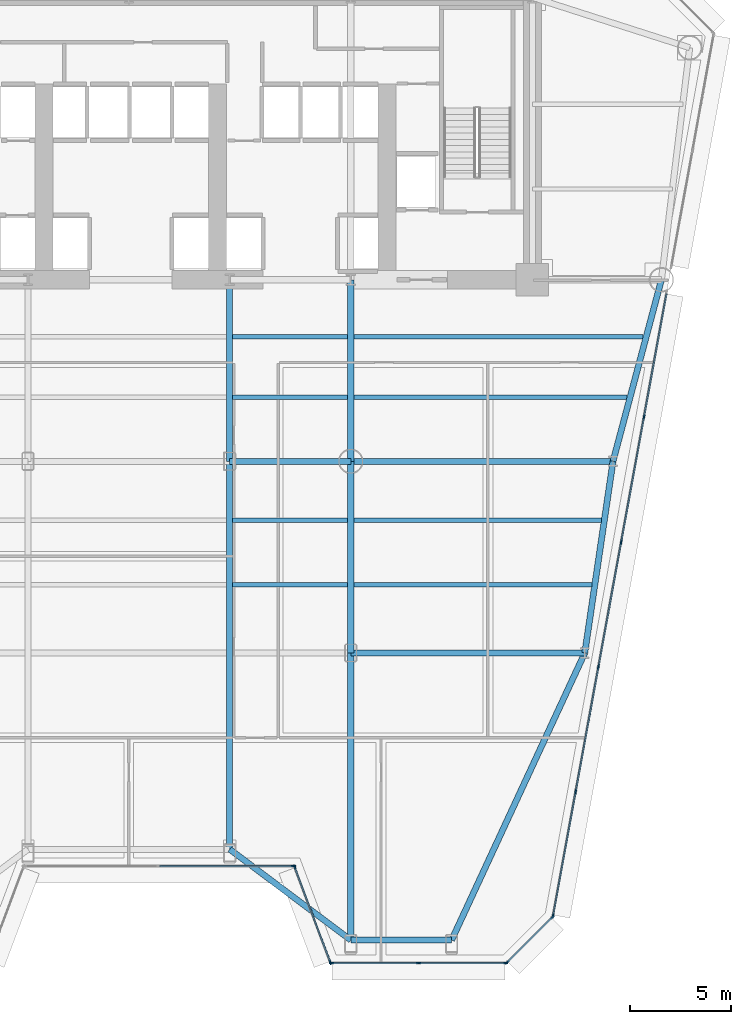
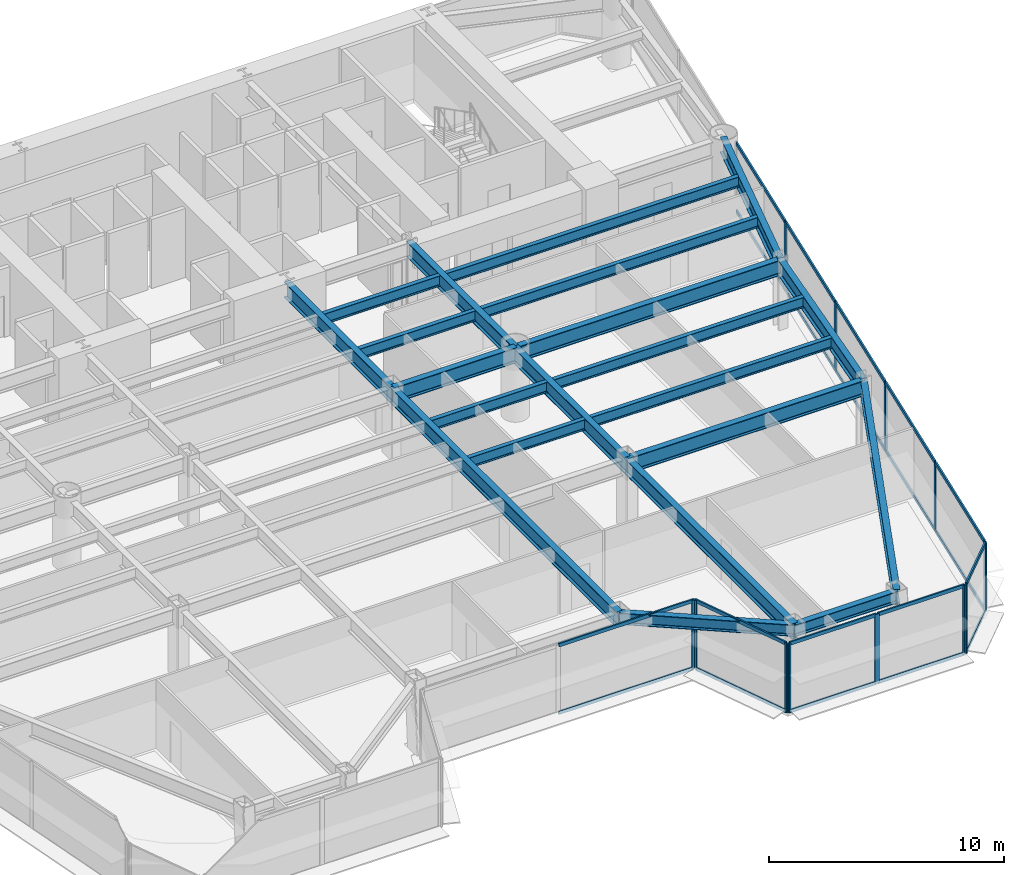
# One storey, part 4 of 14: 33 members, 21 beams, 5 elements without a shape of their own.
"""IFC4 building model written with IfcOpenShell, lengths in metres."""

from ifc_helpers import new_model, si_unit, direction, frame, origin, origin_2d, place, context, subcontext, project, spatial, rectangle, i_section, extrude, source, transform, mapped, material, layer, layer_set, material_profile, profile_set, type_object, element, aggregate, save


model = new_model("IFC4")

# Units and contexts
model_context = context("Model", 3, precision=1e-05, world=origin(), true_north=direction((0.0, 1.0)))
body_context = subcontext(model_context, "Body", "Model", "MODEL_VIEW")
ifc_project = project(units=[si_unit("LENGTHUNIT", "METRE"), si_unit("AREAUNIT", "SQUARE_METRE"), si_unit("VOLUMEUNIT", "CUBIC_METRE"), si_unit("PLANEANGLEUNIT", "RADIAN"), si_unit("MASSUNIT", "GRAM", prefix="KILO")], contexts=[model_context])

# Site, building, storey
site_placement = place(None, origin())
site = spatial("IfcSite", under=ifc_project, at=site_placement, CompositionType="ELEMENT")
building_placement = place(site_placement, origin())
building = spatial("IfcBuilding", under=site, at=building_placement, Name="Vaeldorn Concourse Tower", CompositionType="ELEMENT")
storey_placement = place(building_placement, frame((0.0, 0.0, 60.60009765625)))
storey = spatial("IfcBuildingStorey", under=building, at=storey_placement, Name="L15", CompositionType="ELEMENT", Elevation=60.60009765625)

# Beams
ifc_material_1 = material(Name="Steel S355", Category="steel")
ifc_material_profile_1 = material_profile(ifc_material_1, i_section(OverallWidth=0.300048828125, OverallDepth=0.800048828125, WebThickness=0.017578125, FlangeThickness=0.032958984375, FilletRadius=0.030029296875, at=origin_2d()), Name="HEB 800")
ifc_profile_set_1 = profile_set([ifc_material_profile_1], Name="Steel S355")
beam_type_1 = type_object("IfcBeamType", Name="BM-PG-HEB800", PredefinedType="BEAM", material=ifc_profile_set_1)
shared_shape_1 = source(origin(), body_context, "Body", "SweptSolid", [
    extrude(i_section(OverallWidth=0.300048828125, OverallDepth=0.800048828125, WebThickness=0.017578125, FlangeThickness=0.032958984375, FilletRadius=0.030029296875, at=origin_2d()), origin(), (0.0, 0.0, 1.0), 6.0),
])
beam_1_placement = place(storey_placement, frame((39.0, 27.5, 3.179931640625), z_axis=(1.0, 0.0, 0.0), x_axis=(0.0, 1.0, 0.0)))
element("IfcBeam", 1, at=beam_1_placement, inside=storey, type_object=beam_type_1, Name="Beam BM-L15-C-TW3-C-TW4", PredefinedType="BEAM", context=body_context, shape_type="MappedRepresentation", body=[
    mapped(shared_shape_1, transform((0.0, 0.0, 0.0), scale=1.0)),
])
shared_shape_2 = source(origin(), body_context, "Body", "SweptSolid", [
    extrude(i_section(OverallWidth=0.300048828125, OverallDepth=0.800048828125, WebThickness=0.017578125, FlangeThickness=0.032958984375, FilletRadius=0.030029296875, at=origin_2d()), origin(), (0.0, 0.0, 1.0), 9.0),
])
for number, where, z_axis, x_axis, name in (
    (2, (39.0, 27.5, 3.179931640625), (0.0, 1.0, 0.0), (-1.0, 0.0, 0.0), "Beam BM-L15-C-TW3-C-FC4"),
    (3, (45.0, 27.5, 3.179931640625), (0.0, 1.0, 0.0), (-1.0, 0.0, 0.0), "Beam BM-L15-C-TW4-C-FC5"),
):
    element("IfcBeam", number, at=place(storey_placement, frame(where, z_axis=z_axis, x_axis=x_axis)), inside=storey, type_object=beam_type_1, Name=name, PredefinedType="BEAM", context=body_context, shape_type="MappedRepresentation", body=[
        mapped(shared_shape_2, transform((0.0, 0.0, 0.0), scale=1.0)),
    ])
shared_shape_3 = source(origin(), body_context, "Body", "SweptSolid", [
    extrude(i_section(OverallWidth=0.300048828125, OverallDepth=0.800048828125, WebThickness=0.017578125, FlangeThickness=0.032958984375, FilletRadius=0.030029296875, at=origin_2d()), origin(), (0.0, 0.0, 1.0), 9.314453125),
])
beam_2_placement = place(storey_placement, frame((60.39990234375, 36.5, 3.179931640625), z_axis=(-0.257652862255, -0.966237549763, 0.0), x_axis=(0.966237549763, -0.257652862255, 0.0)))
element("IfcBeam", 4, at=beam_2_placement, inside=storey, type_object=beam_type_1, Name="Beam BM-L15-C-NE2-C-FLE1", PredefinedType="BEAM", context=body_context, shape_type="MappedRepresentation", body=[
    mapped(shared_shape_3, transform((0.0, 0.0, 0.0), scale=1.0)),
])
shared_shape_4 = source(origin(), body_context, "Body", "SweptSolid", [
    extrude(i_section(OverallWidth=0.300048828125, OverallDepth=0.800048828125, WebThickness=0.017578125, FlangeThickness=0.032958984375, FilletRadius=0.030029296875, at=origin_2d()), origin(), (0.0, 0.0, 1.0), 13.0),
])
beam_3_placement = place(storey_placement, frame((45.0, 27.5, 3.179931640625), z_axis=(1.0, 0.0, 0.0), x_axis=(0.0, 1.0, 0.0)))
element("IfcBeam", 5, at=beam_3_placement, inside=storey, type_object=beam_type_1, Name="Beam BM-L15-C-TW4-C-FLE1", PredefinedType="BEAM", context=body_context, shape_type="MappedRepresentation", body=[
    mapped(shared_shape_4, transform((0.0, 0.0, 0.0), scale=1.0)),
])
ifc_material_profile_2 = material_profile(ifc_material_1, i_section(OverallWidth=0.300048828125, OverallDepth=0.60009765625, WebThickness=0.015380859375, FlangeThickness=0.030029296875, FilletRadius=0.027099609375, at=origin_2d()), Name="HEB 600")
ifc_profile_set_2 = profile_set([ifc_material_profile_2], Name="Steel S355")
beam_type_2 = type_object("IfcBeamType", Name="BM-SP-HEB600", PredefinedType="SPANDREL", material=ifc_profile_set_2)
shared_shape_5 = source(origin(), body_context, "Body", "SweptSolid", [
    extrude(i_section(OverallWidth=0.300048828125, OverallDepth=0.60009765625, WebThickness=0.015380859375, FlangeThickness=0.030029296875, FilletRadius=0.027099609375, at=origin_2d()), origin(), (0.0, 0.0, 1.0), 5.0),
])
beam_4_placement = place(storey_placement, frame((45.0, 3.768798828125, 3.27978515625), z_axis=(1.0, 0.0, 0.0), x_axis=(0.0, 1.0, 0.0)))
element("IfcBeam", 6, at=beam_4_placement, inside=storey, type_object=beam_type_2, Name="Beam BM-L15-C-SF5-C-SF6", PredefinedType="SPANDREL", context=body_context, shape_type="MappedRepresentation", body=[
    mapped(shared_shape_5, transform((0.0, 0.0, 0.0), scale=1.0)),
])
shared_shape_6 = source(origin(), body_context, "Body", "SweptSolid", [
    extrude(i_section(OverallWidth=0.300048828125, OverallDepth=0.60009765625, WebThickness=0.015380859375, FlangeThickness=0.030029296875, FilletRadius=0.027099609375, at=origin_2d()), origin(), (0.0, 0.0, 1.0), 7.5),
])
beam_5_placement = place(storey_placement, frame((39.0, 8.268798828125, 3.27978515625), z_axis=(0.8, -0.6, 0.0), x_axis=(0.6, 0.8, 0.0)))
element("IfcBeam", 7, at=beam_5_placement, inside=storey, type_object=beam_type_2, Name="Beam BM-L15-C-SF4-C-SF5", PredefinedType="SPANDREL", context=body_context, shape_type="MappedRepresentation", body=[
    mapped(shared_shape_6, transform((0.0, 0.0, 0.0), scale=1.0)),
])
shared_shape_7 = source(origin(), body_context, "Body", "SweptSolid", [
    extrude(i_section(OverallWidth=0.300048828125, OverallDepth=0.800048828125, WebThickness=0.017578125, FlangeThickness=0.032958984375, FilletRadius=0.030029296875, at=origin_2d()), origin(), (0.0, 0.0, 1.0), 9.6025390625),
])
beam_6_placement = place(storey_placement, frame((58.0, 27.5, 3.179931640625), z_axis=(-0.145783835977, -0.989316467652, 0.0), x_axis=(0.989316467652, -0.145783835977, 0.0)))
element("IfcBeam", 8, at=beam_6_placement, inside=storey, type_object=beam_type_1, Name="Beam BM-L15-C-FLE1-C-FLE2", PredefinedType="BEAM", context=body_context, shape_type="MappedRepresentation", body=[
    mapped(shared_shape_7, transform((0.0, 0.0, 0.0), scale=1.0)),
])
shared_shape_8 = source(origin(), body_context, "Body", "SweptSolid", [
    extrude(i_section(OverallWidth=0.300048828125, OverallDepth=0.800048828125, WebThickness=0.017578125, FlangeThickness=0.032958984375, FilletRadius=0.030029296875, at=origin_2d()), origin(), (0.0, 0.0, 1.0), 11.60009765625),
])
beam_7_placement = place(storey_placement, frame((45.0, 18.0, 3.179931640625), z_axis=(1.0, 0.0, 0.0), x_axis=(0.0, 1.0, 0.0)))
element("IfcBeam", 9, at=beam_7_placement, inside=storey, type_object=beam_type_1, Name="Beam BM-L15-C-TW6-C-FLE2", PredefinedType="BEAM", context=body_context, shape_type="MappedRepresentation", body=[
    mapped(shared_shape_8, transform((0.0, 0.0, 0.0), scale=1.0)),
])
shared_shape_9 = source(origin(), body_context, "Body", "SweptSolid", [
    extrude(i_section(OverallWidth=0.300048828125, OverallDepth=0.800048828125, WebThickness=0.017578125, FlangeThickness=0.032958984375, FilletRadius=0.030029296875, at=origin_2d()), origin(), (0.0, 0.0, 1.0), 9.5),
])
beam_8_placement = place(storey_placement, frame((45.0, 18.0, 3.179931640625), z_axis=(0.0, 1.0, 0.0), x_axis=(-1.0, 0.0, 0.0)))
element("IfcBeam", 10, at=beam_8_placement, inside=storey, type_object=beam_type_1, Name="Beam BM-L15-C-TW6-C-TW4", PredefinedType="BEAM", context=body_context, shape_type="MappedRepresentation", body=[
    mapped(shared_shape_9, transform((0.0, 0.0, 0.0), scale=1.0)),
])
ifc_material_profile_3 = material_profile(ifc_material_1, i_section(OverallWidth=0.2099609375, OverallDepth=0.550048828125, WebThickness=0.010986328125, FlangeThickness=0.01708984375, FilletRadius=0.02392578125, at=origin_2d()), Name="IPE 550")
ifc_profile_set_3 = profile_set([ifc_material_profile_3], Name="Steel S355")
beam_type_3 = type_object("IfcBeamType", Name="BM-JS-IPE550", PredefinedType="JOIST", material=ifc_profile_set_3)
shared_shape_10 = source(origin(), body_context, "Body", "SweptSolid", [
    extrude(i_section(OverallWidth=0.2099609375, OverallDepth=0.550048828125, WebThickness=0.010986328125, FlangeThickness=0.01708984375, FilletRadius=0.02392578125, at=origin_2d()), origin(), (0.0, 0.0, 1.0), 5.7001953125),
])
for number, where, z_axis, x_axis, name in (
    (11, (39.14990234375, 21.3798828125, 3.304931640625), (1.0, 0.0, 0.0), (0.0, 1.0, 0.0), "Beam JS-L15-E2-213"),
    (12, (39.14990234375, 24.580078125, 3.304931640625), (1.0, 0.0, 0.0), (0.0, 1.0, 0.0), "Beam JS-L15-E2-245"),
    (13, (39.14990234375, 30.679931640625, 3.304931640625), (1.0, 0.0, 0.0), (0.0, 1.0, 0.0), "Beam JS-L15-E2-306"),
    (14, (39.14990234375, 33.679931640625, 3.304931640625), (1.0, 0.0, 0.0), (0.0, 1.0, 0.0), "Beam JS-L15-E2-336"),
):
    element("IfcBeam", number, at=place(storey_placement, frame(where, z_axis=z_axis, x_axis=x_axis)), inside=storey, type_object=beam_type_3, Name=name, PredefinedType="JOIST", context=body_context, shape_type="MappedRepresentation", body=[
        mapped(shared_shape_10, transform((0.0, 0.0, 0.0), scale=1.0)),
    ])
shared_shape_11 = source(origin(), body_context, "Body", "SweptSolid", [
    extrude(i_section(OverallWidth=0.2099609375, OverallDepth=0.550048828125, WebThickness=0.010986328125, FlangeThickness=0.01708984375, FilletRadius=0.02392578125, at=origin_2d()), origin(), (0.0, 0.0, 1.0), 11.798095703125),
])
beam_9_placement = place(storey_placement, frame((45.14990234375, 21.3798828125, 3.304931640625), z_axis=(1.0, 0.0, 0.0), x_axis=(0.0, 1.0, 0.0)))
element("IfcBeam", 15, at=beam_9_placement, inside=storey, type_object=beam_type_3, Name="Beam JS-L15-E1-213", PredefinedType="JOIST", context=body_context, shape_type="MappedRepresentation", body=[
    mapped(shared_shape_11, transform((0.0, 0.0, 0.0), scale=1.0)),
])
shared_shape_12 = source(origin(), body_context, "Body", "SweptSolid", [
    extrude(i_section(OverallWidth=0.2099609375, OverallDepth=0.550048828125, WebThickness=0.010986328125, FlangeThickness=0.01708984375, FilletRadius=0.02392578125, at=origin_2d()), origin(), (0.0, 0.0, 1.0), 12.269775390625),
])
beam_10_placement = place(storey_placement, frame((45.14990234375, 24.580078125, 3.304931640625), z_axis=(1.0, 0.0, 0.0), x_axis=(0.0, 1.0, 0.0)))
element("IfcBeam", 16, at=beam_10_placement, inside=storey, type_object=beam_type_3, Name="Beam JS-L15-E1-245", PredefinedType="JOIST", context=body_context, shape_type="MappedRepresentation", body=[
    mapped(shared_shape_12, transform((0.0, 0.0, 0.0), scale=1.0)),
])
shared_shape_13 = source(origin(), body_context, "Body", "SweptSolid", [
    extrude(i_section(OverallWidth=0.2099609375, OverallDepth=0.550048828125, WebThickness=0.010986328125, FlangeThickness=0.01708984375, FilletRadius=0.02392578125, at=origin_2d()), origin(), (0.0, 0.0, 1.0), 13.548095703125),
])
beam_11_placement = place(storey_placement, frame((45.14990234375, 30.679931640625, 3.304931640625), z_axis=(1.0, 0.0, 0.0), x_axis=(0.0, 1.0, 0.0)))
element("IfcBeam", 17, at=beam_11_placement, inside=storey, type_object=beam_type_3, Name="Beam JS-L15-E1-306", PredefinedType="JOIST", context=body_context, shape_type="MappedRepresentation", body=[
    mapped(shared_shape_13, transform((0.0, 0.0, 0.0), scale=1.0)),
])
shared_shape_14 = source(origin(), body_context, "Body", "SweptSolid", [
    extrude(i_section(OverallWidth=0.2099609375, OverallDepth=0.550048828125, WebThickness=0.010986328125, FlangeThickness=0.01708984375, FilletRadius=0.02392578125, at=origin_2d()), origin(), (0.0, 0.0, 1.0), 14.34814453125),
])
beam_12_placement = place(storey_placement, frame((45.14990234375, 33.679931640625, 3.304931640625), z_axis=(1.0, 0.0, 0.0), x_axis=(0.0, 1.0, 0.0)))
element("IfcBeam", 18, at=beam_12_placement, inside=storey, type_object=beam_type_3, Name="Beam JS-L15-E1-336", PredefinedType="JOIST", context=body_context, shape_type="MappedRepresentation", body=[
    mapped(shared_shape_14, transform((0.0, 0.0, 0.0), scale=1.0)),
])
shared_shape_15 = source(origin(), body_context, "Body", "SweptSolid", [
    extrude(i_section(OverallWidth=0.300048828125, OverallDepth=0.800048828125, WebThickness=0.017578125, FlangeThickness=0.032958984375, FilletRadius=0.030029296875, at=origin_2d()), origin(), (0.0, 0.0, 1.0), 15.687255859375),
])
beam_13_placement = place(storey_placement, frame((50.0, 3.768798828125, 3.179931640625), z_axis=(0.420731289572, 0.907185307407, 0.0), x_axis=(-0.907185307407, 0.420731289572, 0.0)))
element("IfcBeam", 19, at=beam_13_placement, inside=storey, type_object=beam_type_1, Name="Beam BM-L15-C-SF6-C-FLE2", PredefinedType="BEAM", context=body_context, shape_type="MappedRepresentation", body=[
    mapped(shared_shape_15, transform((0.0, 0.0, 0.0), scale=1.0)),
])
shared_shape_16 = source(origin(), body_context, "Body", "SweptSolid", [
    extrude(i_section(OverallWidth=0.300048828125, OverallDepth=0.800048828125, WebThickness=0.017578125, FlangeThickness=0.032958984375, FilletRadius=0.030029296875, at=origin_2d()), origin(), (0.0, 0.0, 1.0), 14.231201171875),
])
beam_14_placement = place(storey_placement, frame((45.0, 3.768798828125, 3.179931640625), z_axis=(0.0, 1.0, 0.0), x_axis=(-1.0, 0.0, 0.0)))
element("IfcBeam", 20, at=beam_14_placement, inside=storey, type_object=beam_type_1, Name="Beam BM-L15-C-SF5-C-TW6", PredefinedType="BEAM", context=body_context, shape_type="MappedRepresentation", body=[
    mapped(shared_shape_16, transform((0.0, 0.0, 0.0), scale=1.0)),
])
shared_shape_17 = source(origin(), body_context, "Body", "SweptSolid", [
    extrude(i_section(OverallWidth=0.300048828125, OverallDepth=0.800048828125, WebThickness=0.017578125, FlangeThickness=0.032958984375, FilletRadius=0.030029296875, at=origin_2d()), origin(), (0.0, 0.0, 1.0), 19.231201171875),
])
beam_15_placement = place(storey_placement, frame((39.0, 8.268798828125, 3.179931640625), z_axis=(0.0, 1.0, 0.0), x_axis=(-1.0, 0.0, 0.0)))
element("IfcBeam", 21, at=beam_15_placement, inside=storey, type_object=beam_type_1, Name="Beam BM-L15-C-SF4-C-TW3", PredefinedType="BEAM", context=body_context, shape_type="MappedRepresentation", body=[
    mapped(shared_shape_17, transform((0.0, 0.0, 0.0), scale=1.0)),
])

# Curtain wall, member
ifc_material_2 = material(Name="Anodised Bronze Aluminium", Category="aluminium")
ifc_layer = layer(ifc_material_2, 0.219970703125)
ifc_layer_set = layer_set([ifc_layer], Name="Anodised Bronze Aluminium")
curtain_wall_type = type_object("IfcCurtainWallType", Name="CW-SYS-01", PredefinedType="NOTDEFINED", material=ifc_layer_set)
curtain_wall_1_placement = place(storey_placement, origin())
curtain_wall_1 = element("IfcCurtainWall", 22, at=curtain_wall_1_placement, inside=storey, type_object=curtain_wall_type, Name="Unitised Curtain Wall CW-L15-E03-1", PredefinedType="NOTDEFINED")
ifc_material_profile_4 = material_profile(ifc_material_2, rectangle(XDim=0.074951171875, YDim=0.219970703125, at=origin_2d()), Name="CWM 75x220")
ifc_profile_set_4 = profile_set([ifc_material_profile_4], Name="Anodised Bronze Aluminium")
member_type_1 = type_object("IfcMemberType", Name="CWM-BRONZE-220", PredefinedType="MULLION", material=ifc_profile_set_4)
shared_shape_18 = source(origin(), body_context, "Body", "SweptSolid", [
    extrude(rectangle(XDim=0.074951171875, YDim=0.219970703125, at=origin_2d()), origin(), (0.0, 0.0, 1.0), 3.579833984375),
])
member_1_placement = place(storey_placement, frame((42.16259765625, 7.4296875, 0.0), z_axis=(0.0, 0.0, 1.0), x_axis=(0.0, 1.0, 0.0)))
member_1 = element("IfcMember", 23, at=member_1_placement, type_object=member_type_1, Name="CW-01 mullion 3", PredefinedType="MULLION", context=body_context, shape_type="MappedRepresentation", body=[
    mapped(shared_shape_18, transform((0.0, 0.0, 0.0), scale=1.0)),
])

# Curtain wall, members
curtain_wall_2_placement = place(storey_placement, origin())
curtain_wall_2 = element("IfcCurtainWall", 24, at=curtain_wall_2_placement, inside=storey, type_object=curtain_wall_type, Name="Unitised Curtain Wall CW-L15-E04-1", PredefinedType="NOTDEFINED")
member_2_placement = place(storey_placement, frame((42.213134765625, 7.394775390625, 0.0), z_axis=(0.0, 0.0, 1.0), x_axis=(0.936329177566, 0.351123441595, 0.0)))
member_2 = element("IfcMember", 25, at=member_2_placement, type_object=member_type_1, Name="CW-01 mullion 1", PredefinedType="MULLION", context=body_context, shape_type="MappedRepresentation", body=[
    mapped(shared_shape_18, transform((0.0, 0.0, 0.0), scale=1.0)),
])
member_3_placement = place(storey_placement, frame((43.98681640625, 2.664794921875, 0.0), z_axis=(0.0, 0.0, 1.0), x_axis=(0.936329177566, 0.351123441595, 0.0)))
member_3 = element("IfcMember", 26, at=member_3_placement, type_object=member_type_1, Name="CW-01 mullion 2", PredefinedType="MULLION", context=body_context, shape_type="MappedRepresentation", body=[
    mapped(shared_shape_18, transform((0.0, 0.0, 0.0), scale=1.0)),
])

curtain_wall_3_placement = place(storey_placement, origin())
curtain_wall_3 = element("IfcCurtainWall", 27, at=curtain_wall_3_placement, inside=storey, type_object=curtain_wall_type, Name="Unitised Curtain Wall CW-L15-E05-1", PredefinedType="NOTDEFINED")
member_4_placement = place(storey_placement, frame((44.03759765625, 2.6298828125, 0.0), z_axis=(0.0, 0.0, 1.0), x_axis=(0.0, 1.0, 0.0)))
member_4 = element("IfcMember", 28, at=member_4_placement, type_object=member_type_1, Name="CW-01 mullion 1", PredefinedType="MULLION", context=body_context, shape_type="MappedRepresentation", body=[
    mapped(shared_shape_18, transform((0.0, 0.0, 0.0), scale=1.0)),
])
member_5_placement = place(storey_placement, frame((48.359375, 2.6298828125, 0.0), z_axis=(0.0, 0.0, 1.0), x_axis=(0.0, 1.0, 0.0)))
member_5 = element("IfcMember", 29, at=member_5_placement, type_object=member_type_1, Name="CW-01 mullion 2", PredefinedType="MULLION", context=body_context, shape_type="MappedRepresentation", body=[
    mapped(shared_shape_18, transform((0.0, 0.0, 0.0), scale=1.0)),
])
member_6_placement = place(storey_placement, frame((52.681396484375, 2.6298828125, 0.0), z_axis=(0.0, 0.0, 1.0), x_axis=(0.0, 1.0, 0.0)))
member_6 = element("IfcMember", 30, at=member_6_placement, type_object=member_type_1, Name="CW-01 mullion 3", PredefinedType="MULLION", context=body_context, shape_type="MappedRepresentation", body=[
    mapped(shared_shape_18, transform((0.0, 0.0, 0.0), scale=1.0)),
])

curtain_wall_4_placement = place(storey_placement, origin())
curtain_wall_4 = element("IfcCurtainWall", 31, at=curtain_wall_4_placement, inside=storey, type_object=curtain_wall_type, Name="Unitised Curtain Wall CW-L15-E06-1", PredefinedType="NOTDEFINED")
member_7_placement = place(storey_placement, frame((52.745361328125, 2.65625, 0.0), z_axis=(0.0, 0.0, 1.0), x_axis=(-0.707106781187, 0.707106781187, 0.0)))
member_7 = element("IfcMember", 32, at=member_7_placement, type_object=member_type_1, Name="CW-01 mullion 1", PredefinedType="MULLION", context=body_context, shape_type="MappedRepresentation", body=[
    mapped(shared_shape_18, transform((0.0, 0.0, 0.0), scale=1.0)),
])
member_8_placement = place(storey_placement, frame((54.992431640625, 4.9033203125, 0.0), z_axis=(0.0, 0.0, 1.0), x_axis=(-0.707106781187, 0.707106781187, 0.0)))
member_8 = element("IfcMember", 33, at=member_8_placement, type_object=member_type_1, Name="CW-01 mullion 2", PredefinedType="MULLION", context=body_context, shape_type="MappedRepresentation", body=[
    mapped(shared_shape_18, transform((0.0, 0.0, 0.0), scale=1.0)),
])

curtain_wall_5_placement = place(storey_placement, origin())
curtain_wall_5 = element("IfcCurtainWall", 34, at=curtain_wall_5_placement, inside=storey, type_object=curtain_wall_type, Name="Unitised Curtain Wall CW-L15-E07-1", PredefinedType="NOTDEFINED")
member_9_placement = place(storey_placement, frame((55.025634765625, 4.966796875, 0.0), z_axis=(0.0, 0.0, 1.0), x_axis=(-0.98377915742, 0.179383860553, 0.0)))
member_9 = element("IfcMember", 35, at=member_9_placement, type_object=member_type_1, Name="CW-01 mullion 1", PredefinedType="MULLION", context=body_context, shape_type="MappedRepresentation", body=[
    mapped(shared_shape_18, transform((0.0, 0.0, 0.0), scale=1.0)),
])
member_10_placement = place(storey_placement, frame((56.147705078125, 11.119873046875, 0.0), z_axis=(0.0, 0.0, 1.0), x_axis=(-0.98377915742, 0.179383860553, 0.0)))
member_10 = element("IfcMember", 36, at=member_10_placement, type_object=member_type_1, Name="CW-01 mullion 2", PredefinedType="MULLION", context=body_context, shape_type="MappedRepresentation", body=[
    mapped(shared_shape_18, transform((0.0, 0.0, 0.0), scale=1.0)),
])
member_11_placement = place(storey_placement, frame((57.2763671875, 17.31005859375, 0.0), z_axis=(0.0, 0.0, 1.0), x_axis=(-0.98377915742, 0.179383860553, 0.0)))
member_11 = element("IfcMember", 37, at=member_11_placement, type_object=member_type_1, Name="CW-01 mullion 3", PredefinedType="MULLION", context=body_context, shape_type="MappedRepresentation", body=[
    mapped(shared_shape_18, transform((0.0, 0.0, 0.0), scale=1.0)),
])
member_12_placement = place(storey_placement, frame((58.405029296875, 23.500244140625, 0.0), z_axis=(0.0, 0.0, 1.0), x_axis=(-0.98377915742, 0.179383860553, 0.0)))
member_12 = element("IfcMember", 38, at=member_12_placement, type_object=member_type_1, Name="CW-01 mullion 4", PredefinedType="MULLION", context=body_context, shape_type="MappedRepresentation", body=[
    mapped(shared_shape_18, transform((0.0, 0.0, 0.0), scale=1.0)),
])
member_13_placement = place(storey_placement, frame((59.53369140625, 29.6904296875, 0.0), z_axis=(0.0, 0.0, 1.0), x_axis=(-0.98377915742, 0.179383860553, 0.0)))
member_13 = element("IfcMember", 39, at=member_13_placement, type_object=member_type_1, Name="CW-01 mullion 5", PredefinedType="MULLION", context=body_context, shape_type="MappedRepresentation", body=[
    mapped(shared_shape_18, transform((0.0, 0.0, 0.0), scale=1.0)),
])

# Member
ifc_material_profile_5 = material_profile(ifc_material_2, rectangle(XDim=0.074951171875, YDim=0.179931640625, at=origin_2d()), Name="CWT 75x180")
ifc_profile_set_5 = profile_set([ifc_material_profile_5], Name="Anodised Bronze Aluminium")
member_type_2 = type_object("IfcMemberType", Name="CWT-BRONZE-180", PredefinedType="USERDEFINED", material=ifc_profile_set_5)
shared_shape_19 = source(origin(), body_context, "Body", "SweptSolid", [
    extrude(rectangle(XDim=0.074951171875, YDim=0.179931640625, at=origin_2d()), origin(), (0.0, 0.0, 1.0), 6.58740234375),
])
member_14_placement = place(storey_placement, frame((35.53759765625, 7.4296875, 0.037353515625), z_axis=(1.0, 0.0, 0.0), x_axis=(0.0, 1.0, 0.0)))
member_14 = element("IfcMember", 40, at=member_14_placement, type_object=member_type_2, Name="CW-01 transom 2.1", ObjectType="TRANSOM", PredefinedType="USERDEFINED", context=body_context, shape_type="MappedRepresentation", body=[
    mapped(shared_shape_19, transform((0.0, 0.0, 0.0), scale=1.0)),
])

member_15_placement = place(storey_placement, frame((35.53759765625, 7.4296875, 3.54248046875), z_axis=(1.0, 0.0, 0.0), x_axis=(0.0, 1.0, 0.0)))
member_15 = element("IfcMember", 41, at=member_15_placement, type_object=member_type_2, Name="CW-01 transom 2.2", ObjectType="TRANSOM", PredefinedType="USERDEFINED", context=body_context, shape_type="MappedRepresentation", body=[
    mapped(shared_shape_19, transform((0.0, 0.0, 0.0), scale=1.0)),
])

aggregate(curtain_wall_1, [member_1, member_14, member_15])

shared_shape_20 = source(origin(), body_context, "Body", "SweptSolid", [
    extrude(rectangle(XDim=0.074951171875, YDim=0.179931640625, at=origin_2d()), origin(), (0.0, 0.0, 1.0), 4.9765625),
])
member_16_placement = place(storey_placement, frame((42.226318359375, 7.359619140625, 0.037353515625), z_axis=(0.351112688987, -0.936333209724, 0.0), x_axis=(0.936333209724, 0.351112688987, 0.0)))
member_16 = element("IfcMember", 42, at=member_16_placement, type_object=member_type_2, Name="CW-01 transom 1.1", ObjectType="TRANSOM", PredefinedType="USERDEFINED", context=body_context, shape_type="MappedRepresentation", body=[
    mapped(shared_shape_20, transform((0.0, 0.0, 0.0), scale=1.0)),
])

member_17_placement = place(storey_placement, frame((42.226318359375, 7.359619140625, 3.54248046875), z_axis=(0.351112688987, -0.936333209724, 0.0), x_axis=(0.936333209724, 0.351112688987, 0.0)))
member_17 = element("IfcMember", 43, at=member_17_placement, type_object=member_type_2, Name="CW-01 transom 1.2", ObjectType="TRANSOM", PredefinedType="USERDEFINED", context=body_context, shape_type="MappedRepresentation", body=[
    mapped(shared_shape_20, transform((0.0, 0.0, 0.0), scale=1.0)),
])

aggregate(curtain_wall_2, [member_2, member_3, member_16, member_17])

shared_shape_21 = source(origin(), body_context, "Body", "SweptSolid", [
    extrude(rectangle(XDim=0.074951171875, YDim=0.179931640625, at=origin_2d()), origin(), (0.0, 0.0, 1.0), 3.1025390625),
])
member_18_placement = place(storey_placement, frame((52.77197265625, 2.682861328125, 0.037353515625), z_axis=(0.707106781187, 0.707106781187, 0.0), x_axis=(-0.707106781187, 0.707106781187, 0.0)))
member_18 = element("IfcMember", 44, at=member_18_placement, type_object=member_type_2, Name="CW-01 transom 1.1", ObjectType="TRANSOM", PredefinedType="USERDEFINED", context=body_context, shape_type="MappedRepresentation", body=[
    mapped(shared_shape_21, transform((0.0, 0.0, 0.0), scale=1.0)),
])

member_19_placement = place(storey_placement, frame((52.77197265625, 2.682861328125, 3.54248046875), z_axis=(0.707106781187, 0.707106781187, 0.0), x_axis=(-0.707106781187, 0.707106781187, 0.0)))
member_19 = element("IfcMember", 45, at=member_19_placement, type_object=member_type_2, Name="CW-01 transom 1.2", ObjectType="TRANSOM", PredefinedType="USERDEFINED", context=body_context, shape_type="MappedRepresentation", body=[
    mapped(shared_shape_21, transform((0.0, 0.0, 0.0), scale=1.0)),
])

aggregate(curtain_wall_4, [member_7, member_8, member_18, member_19])

shared_shape_22 = source(origin(), body_context, "Body", "SweptSolid", [
    extrude(rectangle(XDim=0.074951171875, YDim=0.179931640625, at=origin_2d()), origin(), (0.0, 0.0, 1.0), 4.2470703125),
])
member_20_placement = place(storey_placement, frame((44.074951171875, 2.6298828125, 0.037353515625), z_axis=(1.0, 0.0, 0.0), x_axis=(0.0, 1.0, 0.0)))
member_20 = element("IfcMember", 46, at=member_20_placement, type_object=member_type_2, Name="CW-01 transom 1.1", ObjectType="TRANSOM", PredefinedType="USERDEFINED", context=body_context, shape_type="MappedRepresentation", body=[
    mapped(shared_shape_22, transform((0.0, 0.0, 0.0), scale=1.0)),
])

member_21_placement = place(storey_placement, frame((44.074951171875, 2.6298828125, 3.54248046875), z_axis=(1.0, 0.0, 0.0), x_axis=(0.0, 1.0, 0.0)))
member_21 = element("IfcMember", 47, at=member_21_placement, type_object=member_type_2, Name="CW-01 transom 1.2", ObjectType="TRANSOM", PredefinedType="USERDEFINED", context=body_context, shape_type="MappedRepresentation", body=[
    mapped(shared_shape_22, transform((0.0, 0.0, 0.0), scale=1.0)),
])

shared_shape_23 = source(origin(), body_context, "Body", "SweptSolid", [
    extrude(rectangle(XDim=0.074951171875, YDim=0.179931640625, at=origin_2d()), origin(), (0.0, 0.0, 1.0), 4.246826171875),
])
member_22_placement = place(storey_placement, frame((48.39697265625, 2.6298828125, 0.037353515625), z_axis=(1.0, 0.0, 0.0), x_axis=(0.0, 1.0, 0.0)))
member_22 = element("IfcMember", 48, at=member_22_placement, type_object=member_type_2, Name="CW-01 transom 2.1", ObjectType="TRANSOM", PredefinedType="USERDEFINED", context=body_context, shape_type="MappedRepresentation", body=[
    mapped(shared_shape_23, transform((0.0, 0.0, 0.0), scale=1.0)),
])

member_23_placement = place(storey_placement, frame((48.39697265625, 2.6298828125, 3.54248046875), z_axis=(1.0, 0.0, 0.0), x_axis=(0.0, 1.0, 0.0)))
member_23 = element("IfcMember", 49, at=member_23_placement, type_object=member_type_2, Name="CW-01 transom 2.2", ObjectType="TRANSOM", PredefinedType="USERDEFINED", context=body_context, shape_type="MappedRepresentation", body=[
    mapped(shared_shape_23, transform((0.0, 0.0, 0.0), scale=1.0)),
])

aggregate(curtain_wall_3, [member_4, member_5, member_6, member_20, member_21, member_22, member_23])

shared_shape_24 = source(origin(), body_context, "Body", "SweptSolid", [
    extrude(rectangle(XDim=0.074951171875, YDim=0.179931640625, at=origin_2d()), origin(), (0.0, 0.0, 1.0), 6.179443359375),
])
member_24_placement = place(storey_placement, frame((55.032470703125, 5.003662109375, 0.037353515625), z_axis=(0.179365199084, 0.983782559999, 0.0), x_axis=(-0.983782559999, 0.179365199084, 0.0)))
member_24 = element("IfcMember", 50, at=member_24_placement, type_object=member_type_2, Name="CW-01 transom 1.1", ObjectType="TRANSOM", PredefinedType="USERDEFINED", context=body_context, shape_type="MappedRepresentation", body=[
    mapped(shared_shape_24, transform((0.0, 0.0, 0.0), scale=1.0)),
])

member_25_placement = place(storey_placement, frame((55.032470703125, 5.003662109375, 3.54248046875), z_axis=(0.179365199084, 0.983782559999, 0.0), x_axis=(-0.983782559999, 0.179365199084, 0.0)))
member_25 = element("IfcMember", 51, at=member_25_placement, type_object=member_type_2, Name="CW-01 transom 1.2", ObjectType="TRANSOM", PredefinedType="USERDEFINED", context=body_context, shape_type="MappedRepresentation", body=[
    mapped(shared_shape_24, transform((0.0, 0.0, 0.0), scale=1.0)),
])

member_26_placement = place(storey_placement, frame((59.54052734375, 29.727294921875, 0.037353515625), z_axis=(0.179365199084, 0.983782559999, 0.0), x_axis=(-0.983782559999, 0.179365199084, 0.0)))
member_26 = element("IfcMember", 52, at=member_26_placement, type_object=member_type_2, Name="CW-01 transom 5.1", ObjectType="TRANSOM", PredefinedType="USERDEFINED", context=body_context, shape_type="MappedRepresentation", body=[
    mapped(shared_shape_24, transform((0.0, 0.0, 0.0), scale=1.0)),
])

member_27_placement = place(storey_placement, frame((59.54052734375, 29.727294921875, 3.54248046875), z_axis=(0.179365199084, 0.983782559999, 0.0), x_axis=(-0.983782559999, 0.179365199084, 0.0)))
member_27 = element("IfcMember", 53, at=member_27_placement, type_object=member_type_2, Name="CW-01 transom 5.2", ObjectType="TRANSOM", PredefinedType="USERDEFINED", context=body_context, shape_type="MappedRepresentation", body=[
    mapped(shared_shape_24, transform((0.0, 0.0, 0.0), scale=1.0)),
])

shared_shape_25 = source(origin(), body_context, "Body", "SweptSolid", [
    extrude(rectangle(XDim=0.074951171875, YDim=0.179931640625, at=origin_2d()), origin(), (0.0, 0.0, 1.0), 6.21728515625),
])
member_28_placement = place(storey_placement, frame((56.154296875, 11.15673828125, 0.037353515625), z_axis=(0.179376108564, 0.983780570898, 0.0), x_axis=(-0.983780570898, 0.179376108564, 0.0)))
member_28 = element("IfcMember", 54, at=member_28_placement, type_object=member_type_2, Name="CW-01 transom 2.1", ObjectType="TRANSOM", PredefinedType="USERDEFINED", context=body_context, shape_type="MappedRepresentation", body=[
    mapped(shared_shape_25, transform((0.0, 0.0, 0.0), scale=1.0)),
])

member_29_placement = place(storey_placement, frame((56.154296875, 11.15673828125, 3.54248046875), z_axis=(0.179376108564, 0.983780570898, 0.0), x_axis=(-0.983780570898, 0.179376108564, 0.0)))
member_29 = element("IfcMember", 55, at=member_29_placement, type_object=member_type_2, Name="CW-01 transom 2.2", ObjectType="TRANSOM", PredefinedType="USERDEFINED", context=body_context, shape_type="MappedRepresentation", body=[
    mapped(shared_shape_25, transform((0.0, 0.0, 0.0), scale=1.0)),
])

member_30_placement = place(storey_placement, frame((57.282958984375, 17.346923828125, 0.037353515625), z_axis=(0.179414112659, 0.983773640722, 0.0), x_axis=(-0.983773640722, 0.179414112659, 0.0)))
member_30 = element("IfcMember", 56, at=member_30_placement, type_object=member_type_2, Name="CW-01 transom 3.1", ObjectType="TRANSOM", PredefinedType="USERDEFINED", context=body_context, shape_type="MappedRepresentation", body=[
    mapped(shared_shape_25, transform((0.0, 0.0, 0.0), scale=1.0)),
])

member_31_placement = place(storey_placement, frame((57.282958984375, 17.346923828125, 3.54248046875), z_axis=(0.179414112659, 0.983773640722, 0.0), x_axis=(-0.983773640722, 0.179414112659, 0.0)))
member_31 = element("IfcMember", 57, at=member_31_placement, type_object=member_type_2, Name="CW-01 transom 3.2", ObjectType="TRANSOM", PredefinedType="USERDEFINED", context=body_context, shape_type="MappedRepresentation", body=[
    mapped(shared_shape_25, transform((0.0, 0.0, 0.0), scale=1.0)),
])

member_32_placement = place(storey_placement, frame((58.411865234375, 23.537109375, 0.037353515625), z_axis=(0.179376108564, 0.983780570898, 0.0), x_axis=(-0.983780570898, 0.179376108564, 0.0)))
member_32 = element("IfcMember", 58, at=member_32_placement, type_object=member_type_2, Name="CW-01 transom 4.1", ObjectType="TRANSOM", PredefinedType="USERDEFINED", context=body_context, shape_type="MappedRepresentation", body=[
    mapped(shared_shape_25, transform((0.0, 0.0, 0.0), scale=1.0)),
])

member_33_placement = place(storey_placement, frame((58.411865234375, 23.537109375, 3.54248046875), z_axis=(0.179376108564, 0.983780570898, 0.0), x_axis=(-0.983780570898, 0.179376108564, 0.0)))
member_33 = element("IfcMember", 59, at=member_33_placement, type_object=member_type_2, Name="CW-01 transom 4.2", ObjectType="TRANSOM", PredefinedType="USERDEFINED", context=body_context, shape_type="MappedRepresentation", body=[
    mapped(shared_shape_25, transform((0.0, 0.0, 0.0), scale=1.0)),
])

aggregate(curtain_wall_5, [member_9, member_10, member_11, member_12, member_13, member_24, member_25, member_28, member_29, member_30, member_31, member_32, member_33, member_26, member_27])

save(model, "model.ifc")
